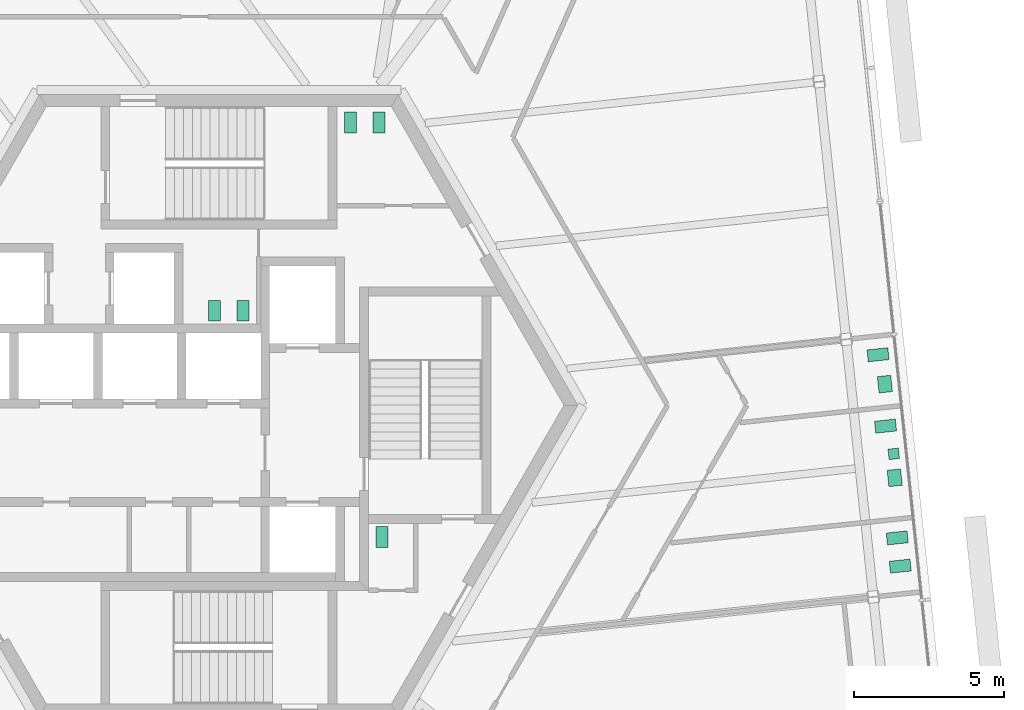
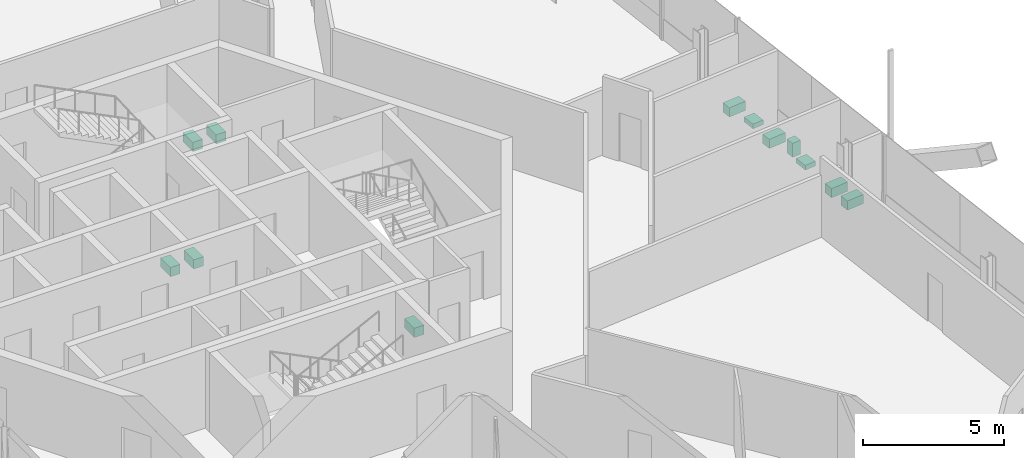
# One storey, part 19 of 21: 12 sanitary terminals.
"""IFC4 building model written with IfcOpenShell, lengths in metres."""

from ifc_helpers import new_model, si_unit, direction, frame, origin, origin_2d, place, context, subcontext, project, spatial, rectangle, extrude, source, transform, mapped, material, element, save


model = new_model("IFC4")

# Units and contexts
model_context = context("Model", 3, precision=1e-05, world=origin(), true_north=direction((0.0, 1.0)))
body_context = subcontext(model_context, "Body", "Model", "MODEL_VIEW")
ifc_project = project(units=[si_unit("LENGTHUNIT", "METRE"), si_unit("AREAUNIT", "SQUARE_METRE"), si_unit("VOLUMEUNIT", "CUBIC_METRE"), si_unit("PLANEANGLEUNIT", "RADIAN"), si_unit("MASSUNIT", "GRAM", prefix="KILO")], contexts=[model_context])

# Site, building, storey
site_placement = place(None, origin())
site = spatial("IfcSite", under=ifc_project, at=site_placement, CompositionType="ELEMENT")
building_placement = place(site_placement, origin())
building = spatial("IfcBuilding", under=site, at=building_placement, Name="Triune Harvest Tower", CompositionType="ELEMENT")
storey_placement = place(building_placement, frame((0.0, 0.0, 80.10009765625)))
storey = spatial("IfcBuildingStorey", under=building, at=storey_placement, Name="L19", CompositionType="ELEMENT", Elevation=80.10009765625)

# Sanitary terminals
ifc_material = material(Name="Vitreous china")
shared_shape_1 = source(origin(), body_context, "Body", "SweptSolid", [
    extrude(rectangle(XDim=0.39990234375, YDim=0.699951171875, at=origin_2d()), origin(), (0.0, 0.0, 1.0), 0.39990234375),
])
for number, where, z_axis, x_axis, name in (
    (1, (4.39990234375, 9.449951171875, 0.0), (0.0, 0.0, 1.0), (1.0, 0.0, 0.0), "Toilet pan L19.c01"),
    (2, (5.35009765625, 9.449951171875, 0.0), (0.0, 0.0, 1.0), (1.0, 0.0, 0.0), "Toilet pan L19.c02"),
    (3, (0.800048828125, 3.159912109375, 0.0), (0.0, 0.0, 1.0), (-1.0, 0.0, 0.0), "Toilet pan L19.c03"),
    (4, (-0.14990234375, 3.159912109375, 0.0), (0.0, 0.0, 1.0), (-1.0, 0.0, 0.0), "Toilet pan L19.c04"),
    (5, (5.449951171875, -4.39990234375, 0.0), (0.0, 0.0, 1.0), (1.0, 0.0, 0.0), "Toilet pan L19.c05"),
    (6, (22.685546875, -4.435302734375, 0.0), (0.0, 0.0, 1.0), (0.104545820933, -0.994520070851, 0.0), "Toilet pan 01"),
    (7, (22.784912109375, -5.3798828125, 0.0), (0.0, 0.0, 1.0), (0.104545820933, -0.994520070851, 0.0), "Toilet pan 02"),
    (8, (22.29296875, -0.698486328125, 0.0), (0.0, 0.0, 1.0), (0.104528463268, -0.994521895368, 0.0), "Toilet pan 03"),
    (9, (22.0419921875, 1.6884765625, 0.0), (0.0, 0.0, 1.0), (0.104528463268, -0.994521895368, 0.0), "Toilet pan 06"),
):
    element("IfcSanitaryTerminal", number, at=place(storey_placement, frame(where, z_axis=z_axis, x_axis=x_axis)), inside=storey, material=ifc_material, Name=name, PredefinedType="TOILETPAN", context=body_context, shape_type="MappedRepresentation", body=[
        mapped(shared_shape_1, transform((0.0, 0.0, 0.0), scale=1.0)),
    ])
shared_shape_2 = source(origin(), body_context, "Body", "SweptSolid", [
    extrude(rectangle(XDim=0.35009765625, YDim=0.35009765625, at=origin_2d()), origin(), (0.0, 0.0, 1.0), 0.60009765625),
])
sanitary_terminal_placement = place(storey_placement, frame((22.566162109375, -1.625, -0.000244140625), z_axis=(0.0, 0.0, 1.0), x_axis=(0.104528463268, -0.994521895368, 0.0)))
element("IfcSanitaryTerminal", 10, at=sanitary_terminal_placement, inside=storey, material=ifc_material, Name="Urinal 04", PredefinedType="URINAL", context=body_context, shape_type="MappedRepresentation", body=[
    mapped(shared_shape_2, transform((0.0, 0.0, 0.0), scale=1.0)),
])
shared_shape_3 = source(origin(), body_context, "Body", "SweptSolid", [
    extrude(rectangle(XDim=0.550048828125, YDim=0.449951171875, at=origin_2d()), origin(), (0.0, 0.0, 1.0), 0.199951171875),
])
for number, where, z_axis, x_axis, name in (
    (11, (22.60009765625, -2.42578125, 0.0), (0.0, 0.0, 1.0), (0.104528463268, -0.994521895368, 0.0), "Wash basin 05"),
    (12, (22.270751953125, 0.706787109375, 0.0), (0.0, 0.0, 1.0), (0.104528463268, -0.994521895368, 0.0), "Wash basin 07"),
):
    element("IfcSanitaryTerminal", number, at=place(storey_placement, frame(where, z_axis=z_axis, x_axis=x_axis)), inside=storey, material=ifc_material, Name=name, PredefinedType="WASHHANDBASIN", context=body_context, shape_type="MappedRepresentation", body=[
        mapped(shared_shape_3, transform((0.0, 0.0, 0.0), scale=1.0)),
    ])

save(model, "model.ifc")
